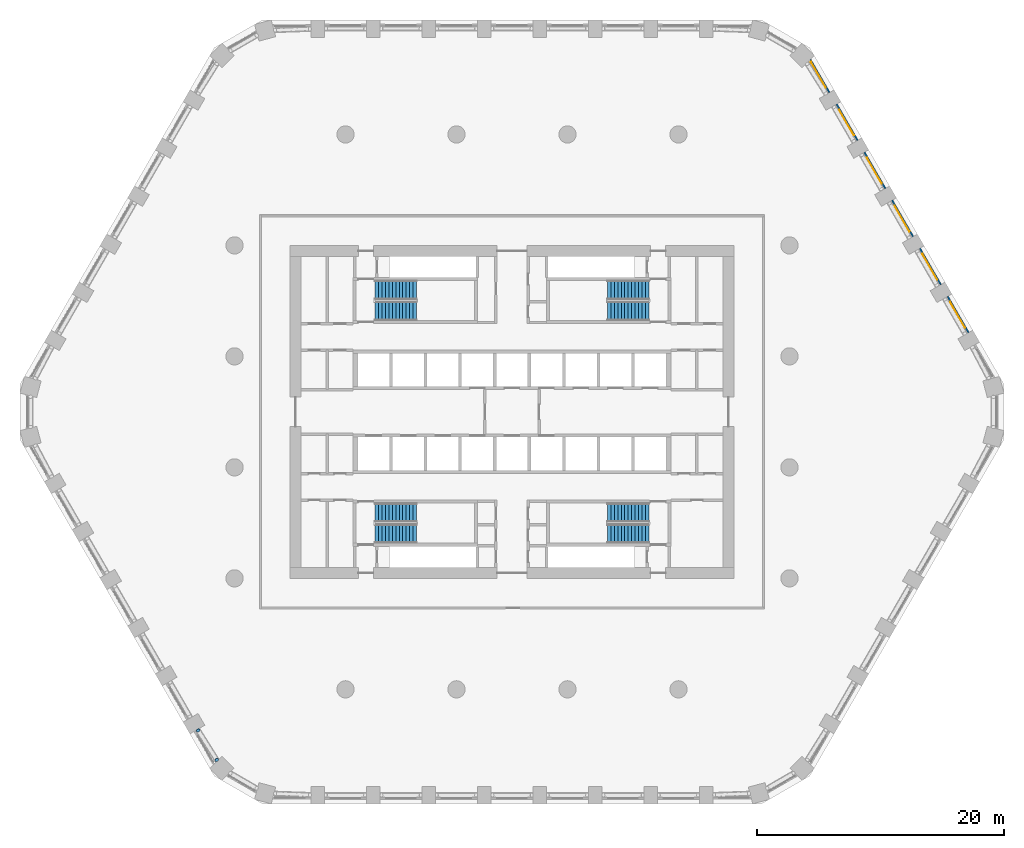
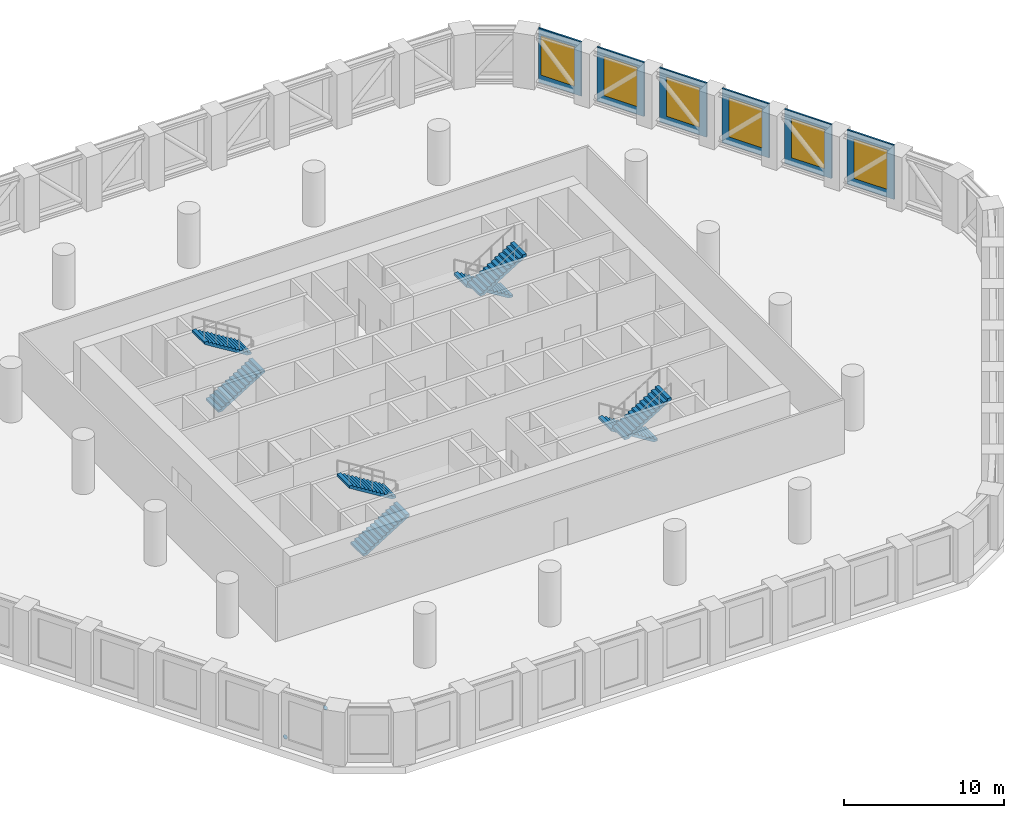
# One storey, part 9 of 18: 8 stair flights, 6 walls, 6 windows, 2 discrete accessories, 6 openings, 4 elements without a shape of their own.
"""IFC4 building model written with IfcOpenShell, lengths in metres."""

from ifc_helpers import new_model, si_unit, direction, frame, frame_2d, origin, origin_2d, place, context, subcontext, project, spatial, polyline, rectangle, circle, outline, extrude, material, layer, layer_set, material_profile, profile_set, type_object, element, fill, aggregate, save


model = new_model("IFC4")

# Units and contexts
model_context = context("Model", 3, precision=1e-05, world=origin(), true_north=direction((0.0, 1.0)))
body_context = subcontext(model_context, "Body", "Model", "MODEL_VIEW")
ifc_project = project(units=[si_unit("LENGTHUNIT", "METRE"), si_unit("AREAUNIT", "SQUARE_METRE"), si_unit("VOLUMEUNIT", "CUBIC_METRE"), si_unit("PLANEANGLEUNIT", "RADIAN"), si_unit("MASSUNIT", "GRAM", prefix="KILO")], contexts=[model_context])

# Site, building, storey
site_placement = place(None, origin())
site = spatial("IfcSite", under=ifc_project, at=site_placement, CompositionType="ELEMENT")
building_placement = place(site_placement, origin())
building = spatial("IfcBuilding", under=site, at=building_placement, Name="Dhurran Vertical Campus", CompositionType="ELEMENT")
storey_placement = place(building_placement, frame((0.0, 0.0, 76.800048828125)))
storey = spatial("IfcBuildingStorey", under=building, at=storey_placement, Name="L18 Plant", CompositionType="ELEMENT", Elevation=76.800048828125)

# Wall, opening, window
ifc_material_1 = material(Name="Precast concrete C50/60", Category="concrete")
ifc_layer = layer(ifc_material_1, 0.1201171875)
ifc_layer_set = layer_set([ifc_layer], Name="Precast concrete C50/60")
wall_type = type_object("IfcWallType", Name="Precast louvre-bay panel 120", PredefinedType="SOLIDWALL", material=ifc_layer_set)
wall_1_placement = place(storey_placement, frame((37.024658203125, 6.42333984375, 0.0), z_axis=(0.0, 0.0, 1.0), x_axis=(-0.499993955907, 0.866028893315, 0.0)))
wall_1 = element("IfcWall", 1, at=wall_1_placement, inside=storey, type_object=wall_type, Name="EW4 L18.19", PredefinedType="SOLIDWALL", context=body_context, shape_type="SweptSolid", body=[
    extrude(rectangle(XDim=3.39892578125, YDim=0.1201171875, at=frame_2d((1.699462890625, 0.0))), origin(), (0.0, 0.0, 1.0), 4.125),
])
opening_1_placement = place(wall_1_placement, frame((0.49951171875, 0.0, 0.60009765625)))
opening_1 = element("IfcOpeningElement", 2, at=opening_1_placement, cuts=wall_1, Name="Opening WT4", PredefinedType="OPENING", context=body_context, shape_type="SweptSolid", body=[
    extrude(rectangle(XDim=2.39990234375, YDim=3.0, at=frame_2d((1.199951171875, 1.5))), frame((0.0, 0.070068359375, 0.0), z_axis=(0.0, -1.0, 0.0), x_axis=(1.0, 0.0, 0.0)), (0.0, 0.0, 1.0), 0.14013671875),
])
ifc_material_2 = material(Name="Aluminium louvre", Category="aluminium")
window_type = type_object("IfcWindowType", Name="Louvred plant vent 2400 x 3000", PartitioningType="SINGLE_PANEL", PredefinedType="WINDOW", material=ifc_material_2)
window_1_placement = place(opening_1_placement, origin())
window_1 = element("IfcWindow", 3, at=window_1_placement, inside=storey, type_object=window_type, Name="WT4 L18.19", OverallHeight=3.0, OverallWidth=2.39990234375, PartitioningType="SINGLE_PANEL", PredefinedType="WINDOW", context=body_context, shape_type="SweptSolid", body=[
    extrude(rectangle(XDim=2.39990234375, YDim=3.0, at=frame_2d((1.199951171875, 1.5))), frame((0.0, 0.06005859375, 0.0), z_axis=(0.0, -1.0, 0.0), x_axis=(1.0, 0.0, 0.0)), (0.0, 0.0, 1.0), 0.02001953125),
])
fill(opening_1, window_1)

wall_2_placement = place(storey_placement, frame((34.774658203125, 10.320556640625, 0.0), z_axis=(0.0, 0.0, 1.0), x_axis=(-0.499993955907, 0.866028893315, 0.0)))
wall_2 = element("IfcWall", 4, at=wall_2_placement, inside=storey, type_object=wall_type, Name="EW4 L18.20", PredefinedType="SOLIDWALL", context=body_context, shape_type="SweptSolid", body=[
    extrude(rectangle(XDim=3.39892578125, YDim=0.1201171875, at=frame_2d((1.699462890625, 0.0))), origin(), (0.0, 0.0, 1.0), 4.125),
])
opening_2_placement = place(wall_2_placement, frame((0.49951171875, 0.0, 0.60009765625)))
opening_2 = element("IfcOpeningElement", 5, at=opening_2_placement, cuts=wall_2, Name="Opening WT4", PredefinedType="OPENING", context=body_context, shape_type="SweptSolid", body=[
    extrude(rectangle(XDim=2.39990234375, YDim=3.0, at=frame_2d((1.199951171875, 1.5))), frame((0.0, 0.070068359375, 0.0), z_axis=(0.0, -1.0, 0.0), x_axis=(1.0, 0.0, 0.0)), (0.0, 0.0, 1.0), 0.14013671875),
])
window_2_placement = place(opening_2_placement, origin())
window_2 = element("IfcWindow", 6, at=window_2_placement, inside=storey, type_object=window_type, Name="WT4 L18.20", OverallHeight=3.0, OverallWidth=2.39990234375, PartitioningType="SINGLE_PANEL", PredefinedType="WINDOW", context=body_context, shape_type="SweptSolid", body=[
    extrude(rectangle(XDim=2.39990234375, YDim=3.0, at=frame_2d((1.199951171875, 1.5))), frame((0.0, 0.06005859375, 0.0), z_axis=(0.0, -1.0, 0.0), x_axis=(1.0, 0.0, 0.0)), (0.0, 0.0, 1.0), 0.02001953125),
])
fill(opening_2, window_2)

wall_3_placement = place(storey_placement, frame((32.524658203125, 14.217529296875, 0.0), z_axis=(0.0, 0.0, 1.0), x_axis=(-0.499993955907, 0.866028893315, 0.0)))
wall_3 = element("IfcWall", 7, at=wall_3_placement, inside=storey, type_object=wall_type, Name="EW4 L18.21", PredefinedType="SOLIDWALL", context=body_context, shape_type="SweptSolid", body=[
    extrude(rectangle(XDim=3.39892578125, YDim=0.1201171875, at=frame_2d((1.699462890625, 0.0))), origin(), (0.0, 0.0, 1.0), 4.125),
])
opening_3_placement = place(wall_3_placement, frame((0.49951171875, 0.0, 0.60009765625)))
opening_3 = element("IfcOpeningElement", 8, at=opening_3_placement, cuts=wall_3, Name="Opening WT4", PredefinedType="OPENING", context=body_context, shape_type="SweptSolid", body=[
    extrude(rectangle(XDim=2.39990234375, YDim=3.0, at=frame_2d((1.199951171875, 1.5))), frame((0.0, 0.070068359375, 0.0), z_axis=(0.0, -1.0, 0.0), x_axis=(1.0, 0.0, 0.0)), (0.0, 0.0, 1.0), 0.14013671875),
])
window_3_placement = place(opening_3_placement, origin())
window_3 = element("IfcWindow", 9, at=window_3_placement, inside=storey, type_object=window_type, Name="WT4 L18.21", OverallHeight=3.0, OverallWidth=2.39990234375, PartitioningType="SINGLE_PANEL", PredefinedType="WINDOW", context=body_context, shape_type="SweptSolid", body=[
    extrude(rectangle(XDim=2.39990234375, YDim=3.0, at=frame_2d((1.199951171875, 1.5))), frame((0.0, 0.06005859375, 0.0), z_axis=(0.0, -1.0, 0.0), x_axis=(1.0, 0.0, 0.0)), (0.0, 0.0, 1.0), 0.02001953125),
])
fill(opening_3, window_3)

wall_4_placement = place(storey_placement, frame((30.274658203125, 18.11474609375, 0.0), z_axis=(0.0, 0.0, 1.0), x_axis=(-0.499993955907, 0.866028893315, 0.0)))
wall_4 = element("IfcWall", 10, at=wall_4_placement, inside=storey, type_object=wall_type, Name="EW4 L18.22", PredefinedType="SOLIDWALL", context=body_context, shape_type="SweptSolid", body=[
    extrude(rectangle(XDim=3.39892578125, YDim=0.1201171875, at=frame_2d((1.699462890625, 0.0))), origin(), (0.0, 0.0, 1.0), 4.125),
])
opening_4_placement = place(wall_4_placement, frame((0.49951171875, 0.0, 0.60009765625)))
opening_4 = element("IfcOpeningElement", 11, at=opening_4_placement, cuts=wall_4, Name="Opening WT4", PredefinedType="OPENING", context=body_context, shape_type="SweptSolid", body=[
    extrude(rectangle(XDim=2.39990234375, YDim=3.0, at=frame_2d((1.199951171875, 1.5))), frame((0.0, 0.070068359375, 0.0), z_axis=(0.0, -1.0, 0.0), x_axis=(1.0, 0.0, 0.0)), (0.0, 0.0, 1.0), 0.14013671875),
])
window_4_placement = place(opening_4_placement, origin())
window_4 = element("IfcWindow", 12, at=window_4_placement, inside=storey, type_object=window_type, Name="WT4 L18.22", OverallHeight=3.0, OverallWidth=2.39990234375, PartitioningType="SINGLE_PANEL", PredefinedType="WINDOW", context=body_context, shape_type="SweptSolid", body=[
    extrude(rectangle(XDim=2.39990234375, YDim=3.0, at=frame_2d((1.199951171875, 1.5))), frame((0.0, 0.06005859375, 0.0), z_axis=(0.0, -1.0, 0.0), x_axis=(1.0, 0.0, 0.0)), (0.0, 0.0, 1.0), 0.02001953125),
])
fill(opening_4, window_4)

wall_5_placement = place(storey_placement, frame((28.024658203125, 22.011962890625, 0.0), z_axis=(0.0, 0.0, 1.0), x_axis=(-0.499993955907, 0.866028893315, 0.0)))
wall_5 = element("IfcWall", 13, at=wall_5_placement, inside=storey, type_object=wall_type, Name="EW4 L18.23", PredefinedType="SOLIDWALL", context=body_context, shape_type="SweptSolid", body=[
    extrude(rectangle(XDim=3.39892578125, YDim=0.1201171875, at=frame_2d((1.699462890625, 0.0))), origin(), (0.0, 0.0, 1.0), 4.125),
])
opening_5_placement = place(wall_5_placement, frame((0.49951171875, 0.0, 0.60009765625)))
opening_5 = element("IfcOpeningElement", 14, at=opening_5_placement, cuts=wall_5, Name="Opening WT4", PredefinedType="OPENING", context=body_context, shape_type="SweptSolid", body=[
    extrude(rectangle(XDim=2.39990234375, YDim=3.0, at=frame_2d((1.199951171875, 1.5))), frame((0.0, 0.070068359375, 0.0), z_axis=(0.0, -1.0, 0.0), x_axis=(1.0, 0.0, 0.0)), (0.0, 0.0, 1.0), 0.14013671875),
])
window_5_placement = place(opening_5_placement, origin())
window_5 = element("IfcWindow", 15, at=window_5_placement, inside=storey, type_object=window_type, Name="WT4 L18.23", OverallHeight=3.0, OverallWidth=2.39990234375, PartitioningType="SINGLE_PANEL", PredefinedType="WINDOW", context=body_context, shape_type="SweptSolid", body=[
    extrude(rectangle(XDim=2.39990234375, YDim=3.0, at=frame_2d((1.199951171875, 1.5))), frame((0.0, 0.06005859375, 0.0), z_axis=(0.0, -1.0, 0.0), x_axis=(1.0, 0.0, 0.0)), (0.0, 0.0, 1.0), 0.02001953125),
])
fill(opening_5, window_5)

wall_6_placement = place(storey_placement, frame((25.7421875, 25.89013671875, 0.0), z_axis=(0.0, 0.0, 1.0), x_axis=(-0.49996174997, 0.866047486323, 0.0)))
wall_6 = element("IfcWall", 16, at=wall_6_placement, inside=storey, type_object=wall_type, Name="EW4 L18.24", PredefinedType="SOLIDWALL", context=body_context, shape_type="SweptSolid", body=[
    extrude(rectangle(XDim=3.091064453125, YDim=0.1201171875, at=frame_2d((1.54541015625, 0.0))), origin(), (0.0, 0.0, 1.0), 4.125),
])
opening_6_placement = place(wall_6_placement, frame((0.49951171875, 0.0, 0.60009765625)))
opening_6 = element("IfcOpeningElement", 17, at=opening_6_placement, cuts=wall_6, Name="Opening WT4", PredefinedType="OPENING", context=body_context, shape_type="SweptSolid", body=[
    extrude(rectangle(XDim=2.39990234375, YDim=3.0, at=frame_2d((1.199951171875, 1.5))), frame((0.0, 0.070068359375, 0.0), z_axis=(0.0, -1.0, 0.0), x_axis=(1.0, 0.0, 0.0)), (0.0, 0.0, 1.0), 0.14013671875),
])
window_6_placement = place(opening_6_placement, origin())
window_6 = element("IfcWindow", 18, at=window_6_placement, inside=storey, type_object=window_type, Name="WT4 L18.24", OverallHeight=3.0, OverallWidth=2.39990234375, PartitioningType="SINGLE_PANEL", PredefinedType="WINDOW", context=body_context, shape_type="SweptSolid", body=[
    extrude(rectangle(XDim=2.39990234375, YDim=3.0, at=frame_2d((1.199951171875, 1.5))), frame((0.0, 0.06005859375, 0.0), z_axis=(0.0, -1.0, 0.0), x_axis=(1.0, 0.0, 0.0)), (0.0, 0.0, 1.0), 0.02001953125),
])
fill(opening_6, window_6)

# Stair, stair flights
ifc_material_3 = material(Name="Concrete C40/50", Category="concrete")
stair_type = type_object("IfcStairType", Name="co-ST-CORE", PredefinedType="HALF_TURN_STAIR", material=ifc_material_3)
stair_1_placement = place(storey_placement, origin())
stair_1 = element("IfcStair", 19, at=stair_1_placement, inside=storey, type_object=stair_type, Name="L18 Plant Protected exit stair ST1", PredefinedType="HALF_TURN_STAIR")
ifc_material_4 = material(Name="Concrete C40/50", Category="concrete")
stair_flight_type = type_object("IfcStairFlightType", Name="co-SFL-RC", PredefinedType="STRAIGHT", material=ifc_material_4)
stair_flight_1_placement = place(storey_placement, frame((-11.10009765625, 8.175048828125, 0.0), z_axis=(0.0, 0.0, 1.0), x_axis=(1.0, 0.0, 0.0)))
stair_flight_1 = element("IfcStairFlight", 20, at=stair_flight_1_placement, type_object=stair_flight_type, Name="ST1 flight 1", NumberOfRisers=13, NumberOfTreads=12, PredefinedType="STRAIGHT", RiserHeight=0.173076923, TreadLength=0.28, context=body_context, shape_type="SweptSolid", body=[
    extrude(outline(polyline([(0.0, 0.0), (0.0, 0.173095703125), (0.280029296875, 0.173095703125), (0.280029296875, 0.34619140625), (0.56005859375, 0.34619140625), (0.56005859375, 0.519287109375), (0.840087890625, 0.519287109375), (0.840087890625, 0.6923828125), (1.1201171875, 0.6923828125), (1.1201171875, 0.865478515625), (1.39990234375, 0.865478515625), (1.39990234375, 1.03857421875), (1.679931640625, 1.03857421875), (1.679931640625, 1.21142578125), (1.9599609375, 1.21142578125), (1.9599609375, 1.384521484375), (2.239990234375, 1.384521484375), (2.239990234375, 1.5576171875), (2.52001953125, 1.5576171875), (2.52001953125, 1.730712890625), (2.800048828125, 1.730712890625), (2.800048828125, 1.90380859375), (3.080078125, 1.90380859375), (3.080078125, 2.076904296875), (3.360107421875, 2.076904296875), (3.360107421875, 2.25), (3.360107421875, 1.900634765625), (0.28515625, 0.0), (0.0, 0.0)])), frame((0.0, 0.77490234375, 0.0), z_axis=(0.0, -1.0, 0.0), x_axis=(1.0, 0.0, 0.0)), (0.0, 0.0, 1.0), 1.550048828125),
])
stair_flight_2_placement = place(storey_placement, frame((-7.739990234375, 9.875, 2.25), z_axis=(0.0, 0.0, 1.0), x_axis=(-1.0, 0.0, 0.0)))
stair_flight_2 = element("IfcStairFlight", 21, at=stair_flight_2_placement, type_object=stair_flight_type, Name="ST1 flight 2", NumberOfRisers=13, NumberOfTreads=12, PredefinedType="STRAIGHT", RiserHeight=0.173076923, TreadLength=0.28, context=body_context, shape_type="SweptSolid", body=[
    extrude(outline(polyline([(0.0, 0.0), (0.0, 0.173095703125), (0.280029296875, 0.173095703125), (0.280029296875, 0.34619140625), (0.56005859375, 0.34619140625), (0.56005859375, 0.519287109375), (0.840087890625, 0.519287109375), (0.840087890625, 0.6923828125), (1.1201171875, 0.6923828125), (1.1201171875, 0.865478515625), (1.39990234375, 0.865478515625), (1.39990234375, 1.03857421875), (1.679931640625, 1.03857421875), (1.679931640625, 1.21142578125), (1.9599609375, 1.21142578125), (1.9599609375, 1.384521484375), (2.239990234375, 1.384521484375), (2.239990234375, 1.5576171875), (2.52001953125, 1.5576171875), (2.52001953125, 1.730712890625), (2.800048828125, 1.730712890625), (2.800048828125, 1.90380859375), (3.080078125, 1.90380859375), (3.080078125, 2.076904296875), (3.360107421875, 2.076904296875), (3.360107421875, 2.25), (3.360107421875, 1.900634765625), (0.28515625, 0.0), (0.0, 0.0)])), frame((0.0, 0.77490234375, 0.0), z_axis=(0.0, -1.0, 0.0), x_axis=(1.0, 0.0, 0.0)), (0.0, 0.0, 1.0), 1.550048828125),
])
aggregate(stair_1, [stair_flight_1, stair_flight_2])

stair_2_placement = place(storey_placement, origin())
stair_2 = element("IfcStair", 22, at=stair_2_placement, inside=storey, type_object=stair_type, Name="L18 Plant Protected exit stair ST2", PredefinedType="HALF_TURN_STAIR")
stair_flight_3_placement = place(storey_placement, frame((11.10009765625, 9.875, 0.0), z_axis=(0.0, 0.0, 1.0), x_axis=(-1.0, 0.0, 0.0)))
stair_flight_3 = element("IfcStairFlight", 23, at=stair_flight_3_placement, type_object=stair_flight_type, Name="ST2 flight 1", NumberOfRisers=13, NumberOfTreads=12, PredefinedType="STRAIGHT", RiserHeight=0.173076923, TreadLength=0.28, context=body_context, shape_type="SweptSolid", body=[
    extrude(outline(polyline([(0.0, 0.0), (0.0, 0.173095703125), (0.280029296875, 0.173095703125), (0.280029296875, 0.34619140625), (0.56005859375, 0.34619140625), (0.56005859375, 0.519287109375), (0.840087890625, 0.519287109375), (0.840087890625, 0.6923828125), (1.1201171875, 0.6923828125), (1.1201171875, 0.865478515625), (1.39990234375, 0.865478515625), (1.39990234375, 1.03857421875), (1.679931640625, 1.03857421875), (1.679931640625, 1.21142578125), (1.9599609375, 1.21142578125), (1.9599609375, 1.384521484375), (2.239990234375, 1.384521484375), (2.239990234375, 1.5576171875), (2.52001953125, 1.5576171875), (2.52001953125, 1.730712890625), (2.800048828125, 1.730712890625), (2.800048828125, 1.90380859375), (3.080078125, 1.90380859375), (3.080078125, 2.076904296875), (3.360107421875, 2.076904296875), (3.360107421875, 2.25), (3.360107421875, 1.900634765625), (0.28515625, 0.0), (0.0, 0.0)])), frame((0.0, 0.77490234375, 0.0), z_axis=(0.0, -1.0, 0.0), x_axis=(1.0, 0.0, 0.0)), (0.0, 0.0, 1.0), 1.550048828125),
])
stair_flight_4_placement = place(storey_placement, frame((7.739990234375, 8.175048828125, 2.25), z_axis=(0.0, 0.0, 1.0), x_axis=(1.0, 0.0, 0.0)))
stair_flight_4 = element("IfcStairFlight", 24, at=stair_flight_4_placement, type_object=stair_flight_type, Name="ST2 flight 2", NumberOfRisers=13, NumberOfTreads=12, PredefinedType="STRAIGHT", RiserHeight=0.173076923, TreadLength=0.28, context=body_context, shape_type="SweptSolid", body=[
    extrude(outline(polyline([(0.0, 0.0), (0.0, 0.173095703125), (0.280029296875, 0.173095703125), (0.280029296875, 0.34619140625), (0.56005859375, 0.34619140625), (0.56005859375, 0.519287109375), (0.840087890625, 0.519287109375), (0.840087890625, 0.6923828125), (1.1201171875, 0.6923828125), (1.1201171875, 0.865478515625), (1.39990234375, 0.865478515625), (1.39990234375, 1.03857421875), (1.679931640625, 1.03857421875), (1.679931640625, 1.21142578125), (1.9599609375, 1.21142578125), (1.9599609375, 1.384521484375), (2.239990234375, 1.384521484375), (2.239990234375, 1.5576171875), (2.52001953125, 1.5576171875), (2.52001953125, 1.730712890625), (2.800048828125, 1.730712890625), (2.800048828125, 1.90380859375), (3.080078125, 1.90380859375), (3.080078125, 2.076904296875), (3.360107421875, 2.076904296875), (3.360107421875, 2.25), (3.360107421875, 1.900634765625), (0.28515625, 0.0), (0.0, 0.0)])), frame((0.0, 0.77490234375, 0.0), z_axis=(0.0, -1.0, 0.0), x_axis=(1.0, 0.0, 0.0)), (0.0, 0.0, 1.0), 1.550048828125),
])
aggregate(stair_2, [stair_flight_3, stair_flight_4])

stair_3_placement = place(storey_placement, origin())
stair_3 = element("IfcStair", 25, at=stair_3_placement, inside=storey, type_object=stair_type, Name="L18 Plant Protected exit stair ST3", PredefinedType="HALF_TURN_STAIR")
stair_flight_5_placement = place(storey_placement, frame((-11.10009765625, -9.875, 0.0), z_axis=(0.0, 0.0, 1.0), x_axis=(1.0, 0.0, 0.0)))
stair_flight_5 = element("IfcStairFlight", 26, at=stair_flight_5_placement, type_object=stair_flight_type, Name="ST3 flight 1", NumberOfRisers=13, NumberOfTreads=12, PredefinedType="STRAIGHT", RiserHeight=0.173076923, TreadLength=0.28, context=body_context, shape_type="SweptSolid", body=[
    extrude(outline(polyline([(0.0, 0.0), (0.0, 0.173095703125), (0.280029296875, 0.173095703125), (0.280029296875, 0.34619140625), (0.56005859375, 0.34619140625), (0.56005859375, 0.519287109375), (0.840087890625, 0.519287109375), (0.840087890625, 0.6923828125), (1.1201171875, 0.6923828125), (1.1201171875, 0.865478515625), (1.39990234375, 0.865478515625), (1.39990234375, 1.03857421875), (1.679931640625, 1.03857421875), (1.679931640625, 1.21142578125), (1.9599609375, 1.21142578125), (1.9599609375, 1.384521484375), (2.239990234375, 1.384521484375), (2.239990234375, 1.5576171875), (2.52001953125, 1.5576171875), (2.52001953125, 1.730712890625), (2.800048828125, 1.730712890625), (2.800048828125, 1.90380859375), (3.080078125, 1.90380859375), (3.080078125, 2.076904296875), (3.360107421875, 2.076904296875), (3.360107421875, 2.25), (3.360107421875, 1.900634765625), (0.28515625, 0.0), (0.0, 0.0)])), frame((0.0, 0.77490234375, 0.0), z_axis=(0.0, -1.0, 0.0), x_axis=(1.0, 0.0, 0.0)), (0.0, 0.0, 1.0), 1.550048828125),
])
stair_flight_6_placement = place(storey_placement, frame((-7.739990234375, -8.175048828125, 2.25), z_axis=(0.0, 0.0, 1.0), x_axis=(-1.0, 0.0, 0.0)))
stair_flight_6 = element("IfcStairFlight", 27, at=stair_flight_6_placement, type_object=stair_flight_type, Name="ST3 flight 2", NumberOfRisers=13, NumberOfTreads=12, PredefinedType="STRAIGHT", RiserHeight=0.173076923, TreadLength=0.28, context=body_context, shape_type="SweptSolid", body=[
    extrude(outline(polyline([(0.0, 0.0), (0.0, 0.173095703125), (0.280029296875, 0.173095703125), (0.280029296875, 0.34619140625), (0.56005859375, 0.34619140625), (0.56005859375, 0.519287109375), (0.840087890625, 0.519287109375), (0.840087890625, 0.6923828125), (1.1201171875, 0.6923828125), (1.1201171875, 0.865478515625), (1.39990234375, 0.865478515625), (1.39990234375, 1.03857421875), (1.679931640625, 1.03857421875), (1.679931640625, 1.21142578125), (1.9599609375, 1.21142578125), (1.9599609375, 1.384521484375), (2.239990234375, 1.384521484375), (2.239990234375, 1.5576171875), (2.52001953125, 1.5576171875), (2.52001953125, 1.730712890625), (2.800048828125, 1.730712890625), (2.800048828125, 1.90380859375), (3.080078125, 1.90380859375), (3.080078125, 2.076904296875), (3.360107421875, 2.076904296875), (3.360107421875, 2.25), (3.360107421875, 1.900634765625), (0.28515625, 0.0), (0.0, 0.0)])), frame((0.0, 0.77490234375, 0.0), z_axis=(0.0, -1.0, 0.0), x_axis=(1.0, 0.0, 0.0)), (0.0, 0.0, 1.0), 1.550048828125),
])
aggregate(stair_3, [stair_flight_5, stair_flight_6])

stair_4_placement = place(storey_placement, origin())
stair_4 = element("IfcStair", 28, at=stair_4_placement, inside=storey, type_object=stair_type, Name="L18 Plant Protected exit stair ST4", PredefinedType="HALF_TURN_STAIR")
stair_flight_7_placement = place(storey_placement, frame((11.10009765625, -8.175048828125, 0.0), z_axis=(0.0, 0.0, 1.0), x_axis=(-1.0, 0.0, 0.0)))
stair_flight_7 = element("IfcStairFlight", 29, at=stair_flight_7_placement, type_object=stair_flight_type, Name="ST4 flight 1", NumberOfRisers=13, NumberOfTreads=12, PredefinedType="STRAIGHT", RiserHeight=0.173076923, TreadLength=0.28, context=body_context, shape_type="SweptSolid", body=[
    extrude(outline(polyline([(0.0, 0.0), (0.0, 0.173095703125), (0.280029296875, 0.173095703125), (0.280029296875, 0.34619140625), (0.56005859375, 0.34619140625), (0.56005859375, 0.519287109375), (0.840087890625, 0.519287109375), (0.840087890625, 0.6923828125), (1.1201171875, 0.6923828125), (1.1201171875, 0.865478515625), (1.39990234375, 0.865478515625), (1.39990234375, 1.03857421875), (1.679931640625, 1.03857421875), (1.679931640625, 1.21142578125), (1.9599609375, 1.21142578125), (1.9599609375, 1.384521484375), (2.239990234375, 1.384521484375), (2.239990234375, 1.5576171875), (2.52001953125, 1.5576171875), (2.52001953125, 1.730712890625), (2.800048828125, 1.730712890625), (2.800048828125, 1.90380859375), (3.080078125, 1.90380859375), (3.080078125, 2.076904296875), (3.360107421875, 2.076904296875), (3.360107421875, 2.25), (3.360107421875, 1.900634765625), (0.28515625, 0.0), (0.0, 0.0)])), frame((0.0, 0.77490234375, 0.0), z_axis=(0.0, -1.0, 0.0), x_axis=(1.0, 0.0, 0.0)), (0.0, 0.0, 1.0), 1.550048828125),
])
stair_flight_8_placement = place(storey_placement, frame((7.739990234375, -9.875, 2.25), z_axis=(0.0, 0.0, 1.0), x_axis=(1.0, 0.0, 0.0)))
stair_flight_8 = element("IfcStairFlight", 30, at=stair_flight_8_placement, type_object=stair_flight_type, Name="ST4 flight 2", NumberOfRisers=13, NumberOfTreads=12, PredefinedType="STRAIGHT", RiserHeight=0.173076923, TreadLength=0.28, context=body_context, shape_type="SweptSolid", body=[
    extrude(outline(polyline([(0.0, 0.0), (0.0, 0.173095703125), (0.280029296875, 0.173095703125), (0.280029296875, 0.34619140625), (0.56005859375, 0.34619140625), (0.56005859375, 0.519287109375), (0.840087890625, 0.519287109375), (0.840087890625, 0.6923828125), (1.1201171875, 0.6923828125), (1.1201171875, 0.865478515625), (1.39990234375, 0.865478515625), (1.39990234375, 1.03857421875), (1.679931640625, 1.03857421875), (1.679931640625, 1.21142578125), (1.9599609375, 1.21142578125), (1.9599609375, 1.384521484375), (2.239990234375, 1.384521484375), (2.239990234375, 1.5576171875), (2.52001953125, 1.5576171875), (2.52001953125, 1.730712890625), (2.800048828125, 1.730712890625), (2.800048828125, 1.90380859375), (3.080078125, 1.90380859375), (3.080078125, 2.076904296875), (3.360107421875, 2.076904296875), (3.360107421875, 2.25), (3.360107421875, 1.900634765625), (0.28515625, 0.0), (0.0, 0.0)])), frame((0.0, 0.77490234375, 0.0), z_axis=(0.0, -1.0, 0.0), x_axis=(1.0, 0.0, 0.0)), (0.0, 0.0, 1.0), 1.550048828125),
])
aggregate(stair_4, [stair_flight_7, stair_flight_8])

# Discrete accessories
ifc_material_5 = material(Name="Steel S355J2", Category="steel")
ifc_material_profile = material_profile(ifc_material_5, circle(Radius=0.161865234375, at=origin_2d()), Name="Tube end cap 324 x 20")
ifc_profile_set = profile_set([ifc_material_profile], Name="Steel S355J2")
discrete_accessory_type = type_object("IfcDiscreteAccessoryType", Name="Tube end cap 324 x 20", PredefinedType="USERDEFINED", material=ifc_profile_set)
for number, where, z_axis, x_axis, name in (
    (31, (-25.44677734375, -25.8310546875, 0.4951171875), (-0.352428962185, 0.571177973196, -0.741316092871), (-0.8510360128, -0.525107327047, 0.0), "EC1 belt L18 d50 capA"),
    (32, (-23.95263671875, -28.2119140625, 3.6298828125), (0.35487449747, -0.562904375298, 0.746460149851), (0.845925602596, 0.533300923376, 0.0), "EC1 belt L18 d50 capB"),
):
    element("IfcDiscreteAccessory", number, at=place(storey_placement, frame(where, z_axis=z_axis, x_axis=x_axis)), inside=storey, type_object=discrete_accessory_type, Name=name, ObjectType="END CAP", PredefinedType="USERDEFINED", context=body_context, shape_type="SweptSolid", body=[
        extrude(circle(Radius=0.161865234375, at=origin_2d()), origin(), (0.0, 0.0, 1.0), 0.02001953125),
    ])

save(model, "model.ifc")
